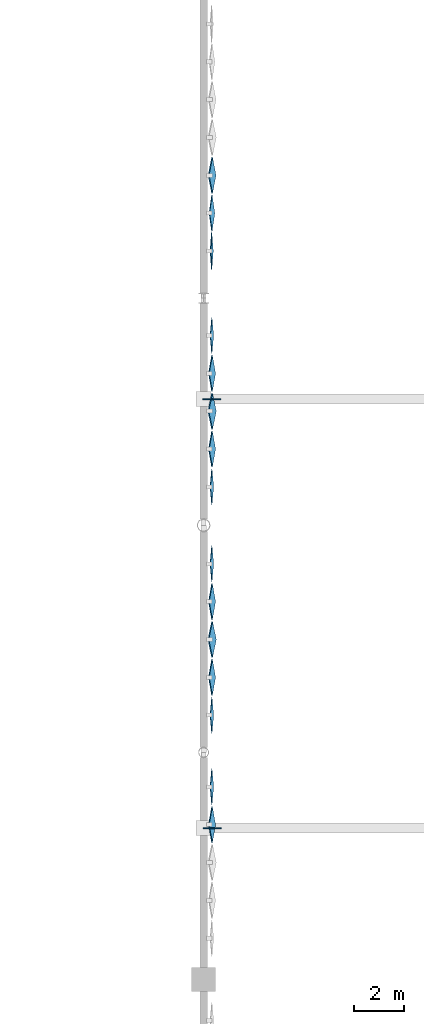
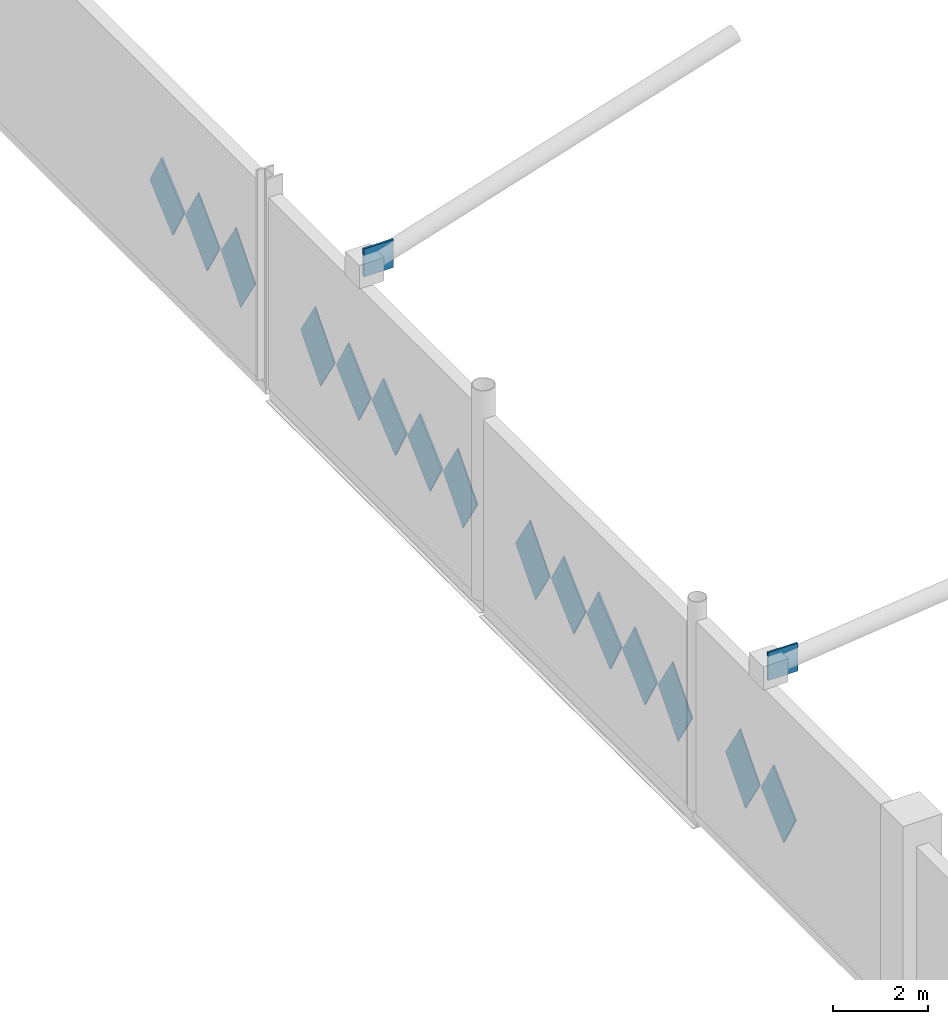
# One storey, part 75 of 119: 17 plates.
"""IFC4 building model written with IfcOpenShell, lengths in metres."""

from ifc_helpers import new_model, si_unit, direction, frame, origin, origin_2d, place, context, subcontext, project, spatial, polyline, rectangle, outline, extrude, material, layer, layer_set, type_object, element, save


model = new_model("IFC4")

# Units and contexts
model_context = context("Model", 3, precision=1e-05, world=origin(), true_north=direction((0.0, 1.0)))
body_context = subcontext(model_context, "Body", "Model", "MODEL_VIEW")
ifc_project = project(units=[si_unit("LENGTHUNIT", "METRE"), si_unit("AREAUNIT", "SQUARE_METRE"), si_unit("VOLUMEUNIT", "CUBIC_METRE"), si_unit("PLANEANGLEUNIT", "RADIAN"), si_unit("MASSUNIT", "GRAM", prefix="KILO")], contexts=[model_context])

# Site, building, storey
site_placement = place(None, origin())
site = spatial("IfcSite", under=ifc_project, at=site_placement, CompositionType="ELEMENT")
building_placement = place(site_placement, origin())
building = spatial("IfcBuilding", under=site, at=building_placement, Name="Qamarlyn Nura Convention Centre", CompositionType="ELEMENT")
storey_placement = place(building_placement, frame((0.0, 0.0, 5.39990234375)))
storey = spatial("IfcBuildingStorey", under=building, at=storey_placement, Name="L01", CompositionType="ELEMENT", Elevation=5.39990234375)

# Plates
ifc_material_1 = material(Name="White high-albedo PVDF aluminium composite sheet", Category="aluminium")
ifc_layer_1 = layer(ifc_material_1, 0.02001953125, Name="FP-DIAM-02")
ifc_layer_set_1 = layer_set([ifc_layer_1], Name="White high-albedo PVDF aluminium composite sheet")
plate_type_1 = type_object("IfcPlateType", Name="FP-DIAM-02", PredefinedType="SHEET", material=ifc_layer_set_1)
plate_1_placement = place(storey_placement, frame((120.31005859375, 91.868896484375, 1.7001953125), z_axis=(0.998638653892, 0.0, 0.052161661713), x_axis=(0.0, 1.0, 0.0)))
element("IfcPlate", 1, at=plate_1_placement, inside=storey, type_object=plate_type_1, Name="L01 pivoted white diamond facade tile 0194", PredefinedType="SHEET", context=body_context, shape_type="SweptSolid", body=[
    extrude(outline(polyline([(-0.719970703125, 0.0), (0.0, -1.050048828125), (0.719970703125, 0.0), (0.0, 1.050048828125), (-0.719970703125, 0.0)])), origin(), (0.0, 0.0, 1.0), 0.02001953125),
])
ifc_layer_2 = layer(ifc_material_1, 0.02392578125, Name="FP-DIAM-03")
ifc_layer_set_2 = layer_set([ifc_layer_2], Name="White high-albedo PVDF aluminium composite sheet")
plate_type_2 = type_object("IfcPlateType", Name="FP-DIAM-03", PredefinedType="SHEET", material=ifc_layer_set_2)
for number, where, z_axis, x_axis, name in (
    (2, (120.31005859375, 70.635986328125, 1.7001953125), (0.998059468659, 0.0, 0.062267945373), (0.0, 1.0, 0.0), "L01 pivoted white diamond facade tile 0173"),
    (3, (120.31005859375, 79.474609375, 1.7001953125), (0.998059468659, 0.0, 0.062267945373), (0.0, 1.0, 0.0), "L01 pivoted white diamond facade tile 0178"),
    (4, (120.31005859375, 73.474609375, 1.7001953125), (0.998059468659, 0.0, 0.062267945373), (0.0, 1.0, 0.0), "L01 pivoted white diamond facade tile 0182"),
    (5, (120.31005859375, 88.520751953125, 1.7001953125), (0.998059468659, 0.0, 0.062267945373), (0.0, 1.0, 0.0), "L01 pivoted white diamond facade tile 0183"),
    (6, (120.31005859375, 82.520751953125, 1.7001953125), (0.998059468659, 0.0, 0.062267945373), (0.0, 1.0, 0.0), "L01 pivoted white diamond facade tile 0187"),
):
    element("IfcPlate", number, at=place(storey_placement, frame(where, z_axis=z_axis, x_axis=x_axis)), inside=storey, type_object=plate_type_2, Name=name, PredefinedType="SHEET", context=body_context, shape_type="SweptSolid", body=[
        extrude(outline(polyline([(-0.719970703125, 0.0), (0.0, -1.050048828125), (0.719970703125, 0.0), (0.0, 1.050048828125), (-0.719970703125, 0.0)])), origin(), (0.0, 0.0, 1.0), 0.02392578125),
    ])
ifc_layer_3 = layer(ifc_material_1, 0.030029296875, Name="FP-DIAM-05")
ifc_layer_set_3 = layer_set([ifc_layer_3], Name="White high-albedo PVDF aluminium composite sheet")
plate_type_3 = type_object("IfcPlateType", Name="FP-DIAM-05", PredefinedType="SHEET", material=ifc_layer_set_3)
plate_2_placement = place(storey_placement, frame((120.31005859375, 93.368896484375, 1.7001953125), z_axis=(0.995090178471, 0.0, 0.098972403781), x_axis=(0.0, 1.0, 0.0)))
element("IfcPlate", 7, at=plate_2_placement, inside=storey, type_object=plate_type_3, Name="L01 pivoted white diamond facade tile 0193", PredefinedType="SHEET", context=body_context, shape_type="SweptSolid", body=[
    extrude(outline(polyline([(-0.719970703125, 0.0), (0.0, -1.050048828125), (0.719970703125, 0.0), (0.0, 1.050048828125), (-0.719970703125, 0.0)])), origin(), (0.0, 0.0, 1.0), 0.030029296875),
])
ifc_layer_4 = layer(ifc_material_1, 0.0380859375, Name="FP-DIAM-07")
ifc_layer_set_4 = layer_set([ifc_layer_4], Name="White high-albedo PVDF aluminium composite sheet")
plate_type_4 = type_object("IfcPlateType", Name="FP-DIAM-07", PredefinedType="SHEET", material=ifc_layer_set_4)
for number, where, z_axis, x_axis, name in (
    (8, (120.31005859375, 69.135986328125, 1.7001953125), (0.99271534578, 0.0, 0.120483369194), (0.0, 1.0, 0.0), "L01 pivoted white diamond facade tile 0174"),
    (9, (120.31005859375, 77.974609375, 1.7001953125), (0.99271534578, 0.0, 0.120483369194), (0.0, 1.0, 0.0), "L01 pivoted white diamond facade tile 0179"),
    (10, (120.31005859375, 74.974609375, 1.7001953125), (0.99271534578, 0.0, 0.120483369194), (0.0, 1.0, 0.0), "L01 pivoted white diamond facade tile 0181"),
    (11, (120.31005859375, 87.020751953125, 1.7001953125), (0.99271534578, 0.0, 0.120483369194), (0.0, 1.0, 0.0), "L01 pivoted white diamond facade tile 0184"),
    (12, (120.31005859375, 84.020751953125, 1.7001953125), (0.99271534578, 0.0, 0.120483369194), (0.0, 1.0, 0.0), "L01 pivoted white diamond facade tile 0186"),
):
    element("IfcPlate", number, at=place(storey_placement, frame(where, z_axis=z_axis, x_axis=x_axis)), inside=storey, type_object=plate_type_4, Name=name, PredefinedType="SHEET", context=body_context, shape_type="SweptSolid", body=[
        extrude(outline(polyline([(-0.719970703125, 0.0), (0.0, -1.050048828125), (0.719970703125, 0.0), (0.0, 1.050048828125), (-0.719970703125, 0.0)])), origin(), (0.0, 0.0, 1.0), 0.0380859375),
    ])
ifc_layer_5 = layer(ifc_material_1, 0.0439453125, Name="FP-DIAM-08")
ifc_layer_set_5 = layer_set([ifc_layer_5], Name="White high-albedo PVDF aluminium composite sheet")
plate_type_5 = type_object("IfcPlateType", Name="FP-DIAM-08", PredefinedType="SHEET", material=ifc_layer_set_5)
for number, where, z_axis, x_axis, name in (
    (13, (120.31005859375, 76.474609375, 1.7001953125), (0.989776230908, 0.0, 0.142628933706), (0.0, 1.0, 0.0), "L01 pivoted white diamond facade tile 0180"),
    (14, (120.31005859375, 85.520751953125, 1.7001953125), (0.989776230908, 0.0, 0.142628933706), (0.0, 1.0, 0.0), "L01 pivoted white diamond facade tile 0185"),
    (15, (120.31005859375, 94.868896484375, 1.7001953125), (0.9913534953, 0.0, 0.131218319443), (0.0, 1.0, 0.0), "L01 pivoted white diamond facade tile 0192"),
):
    element("IfcPlate", number, at=place(storey_placement, frame(where, z_axis=z_axis, x_axis=x_axis)), inside=storey, type_object=plate_type_5, Name=name, PredefinedType="SHEET", context=body_context, shape_type="SweptSolid", body=[
        extrude(outline(polyline([(-0.719970703125, 0.0), (0.0, -1.050048828125), (0.719970703125, 0.0), (0.0, 1.050048828125), (-0.719970703125, 0.0)])), origin(), (0.0, 0.0, 1.0), 0.0439453125),
    ])
ifc_material_2 = material(Name="Structural steel ASTM A572 Grade 50", Category="steel")
ifc_layer_6 = layer(ifc_material_2, 0.0419921875, Name="GP-SN2")
ifc_layer_set_6 = layer_set([ifc_layer_6], Name="Structural steel ASTM A572 Grade 50")
plate_type_6 = type_object("IfcPlateType", Name="GP-SN2", PredefinedType="USERDEFINED", material=ifc_layer_set_6)
plate_3_placement = place(storey_placement, frame((120.337890625, 69.0, 5.078125), z_axis=(0.0, 0.0, 1.0), x_axis=(1.0, 0.0, 0.0)))
element("IfcPlate", 16, at=plate_3_placement, inside=storey, type_object=plate_type_6, Name="Tree strut gusset plate E-5-B", ObjectType="GUSSET PLATE", PredefinedType="USERDEFINED", context=body_context, shape_type="SweptSolid", body=[
    extrude(rectangle(XDim=0.719970703125, YDim=0.0419921875, at=origin_2d()), origin(), (0.0, 0.0, 1.0), 0.719970703125),
])
ifc_layer_7 = layer(ifc_material_2, 0.048095703125, Name="GP-SN3")
ifc_layer_set_7 = layer_set([ifc_layer_7], Name="Structural steel ASTM A572 Grade 50")
plate_type_7 = type_object("IfcPlateType", Name="GP-SN3", PredefinedType="USERDEFINED", material=ifc_layer_set_7)
plate_4_placement = place(storey_placement, frame((120.32421875, 86.0, 5.14208984375), z_axis=(0.0, 0.0, 1.0), x_axis=(1.0, 0.0, 0.0)))
element("IfcPlate", 17, at=plate_4_placement, inside=storey, type_object=plate_type_7, Name="Tree strut gusset plate E-6-B", ObjectType="GUSSET PLATE", PredefinedType="USERDEFINED", context=body_context, shape_type="SweptSolid", body=[
    extrude(rectangle(XDim=0.719970703125, YDim=0.048095703125, at=origin_2d()), origin(), (0.0, 0.0, 1.0), 0.719970703125),
])

save(model, "model.ifc")
